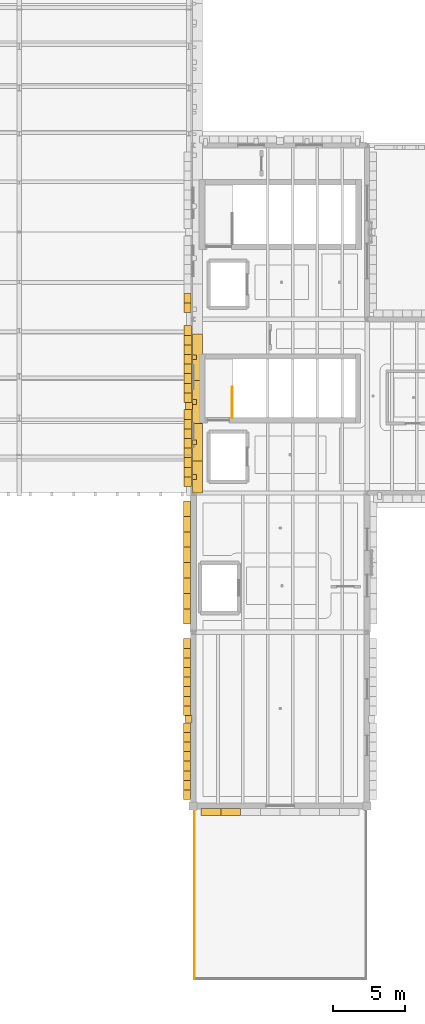
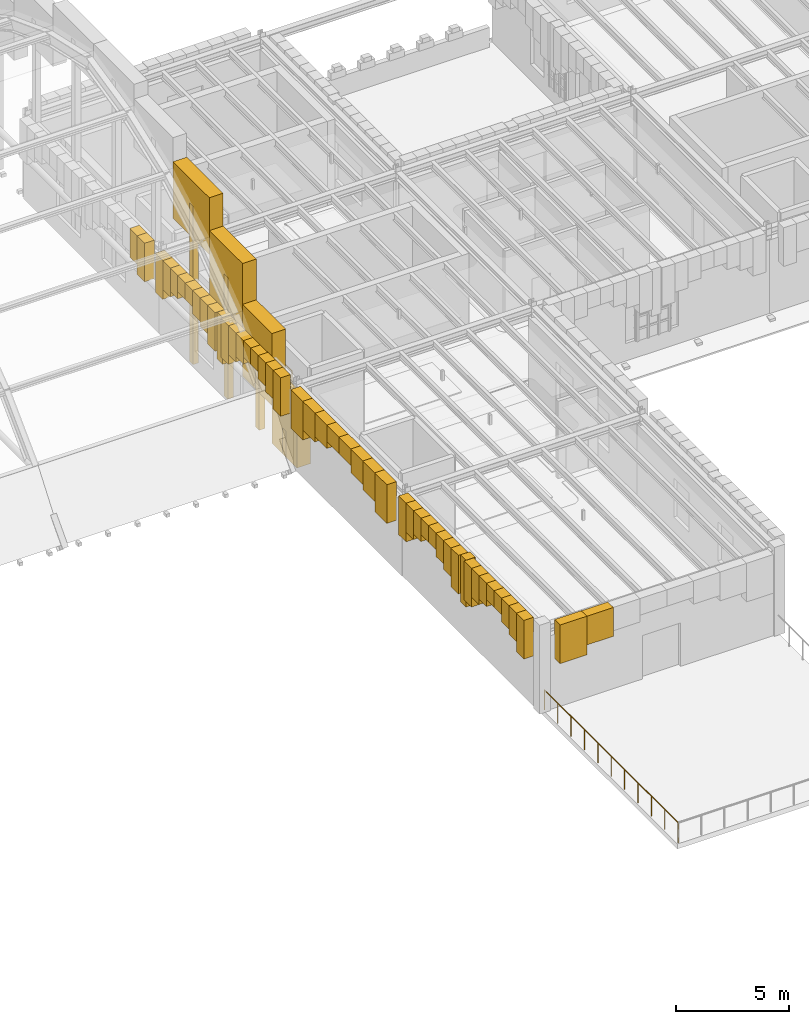
# One storey, part 27 of 35: 54 coverings, 2 railings.
"""IFC4 building model written with IfcOpenShell, lengths in metres."""

from ifc_helpers import new_model, si_unit, direction, frame, origin, origin_2d, place, context, subcontext, project, spatial, polyline, circle, outline, extrude, material, layer, layer_set, type_object, element, save


model = new_model("IFC4")

# Units and contexts
model_context = context("Model", 3, precision=1e-05, world=origin(), true_north=direction((0.0, 1.0)))
body_context = subcontext(model_context, "Body", "Model", "MODEL_VIEW")
ifc_project = project(units=[si_unit("LENGTHUNIT", "METRE"), si_unit("AREAUNIT", "SQUARE_METRE"), si_unit("VOLUMEUNIT", "CUBIC_METRE"), si_unit("PLANEANGLEUNIT", "RADIAN"), si_unit("MASSUNIT", "GRAM", prefix="KILO")], contexts=[model_context])

# Site, building, storey
site_placement = place(None, origin())
site = spatial("IfcSite", under=ifc_project, at=site_placement, CompositionType="ELEMENT")
building_placement = place(site_placement, origin())
building = spatial("IfcBuilding", under=site, at=building_placement, Name="Zlatogorsky Bluff Art Gallery", CompositionType="ELEMENT")
storey_placement = place(building_placement, frame((0.0, 0.0, 23.39990234375)))
storey = spatial("IfcBuildingStorey", under=building, at=storey_placement, Name="L04", CompositionType="ELEMENT", Elevation=23.39990234375)

# Coverings
ifc_material_1 = material(Name="Honed Red Agra-Tone Quartzitic Sandstone", Category="masonry")
ifc_layer_1 = layer(ifc_material_1, 0.1201171875)
ifc_layer_set_1 = layer_set([ifc_layer_1], Name="Carved Sandstone Cladding CLD-02")
covering_type_1 = type_object("IfcCoveringType", Name="Carved Sandstone Cladding CLD-02", PredefinedType="CLADDING", material=ifc_layer_set_1)
covering_1_placement = place(storey_placement, frame((0.0, 0.0, 2.672607421875)))
element("IfcCovering", 1, at=covering_1_placement, inside=storey, type_object=covering_type_1, Name="Pointed Mughal arch voussoir spandrel WARCH-L04-S-10-06-A.1", PredefinedType="CLADDING", context=body_context, shape_type="SweptSolid", body=[
    extrude(outline(polyline([(120.550048828125, 61.739990234375), (121.91259765625, 61.739990234375), (121.91259765625, 62.22998046875), (120.550048828125, 62.22998046875), (120.550048828125, 61.739990234375)])), origin(), (0.0, 0.0, 1.0), 2.08740234375),
])
covering_2_placement = place(storey_placement, frame((0.0, 0.0, 3.203857421875)))
element("IfcCovering", 2, at=covering_2_placement, inside=storey, type_object=covering_type_1, Name="Pointed Mughal arch voussoir spandrel WARCH-L04-S-10-06-A.2", PredefinedType="CLADDING", context=body_context, shape_type="SweptSolid", body=[
    extrude(outline(polyline([(121.91259765625, 61.739990234375), (123.27490234375, 61.739990234375), (123.27490234375, 62.22998046875), (121.91259765625, 62.22998046875), (121.91259765625, 61.739990234375)])), origin(), (0.0, 0.0, 1.0), 1.55615234375),
])
covering_3_placement = place(storey_placement, frame((0.0, 0.0, 2.22998046875)))
element("IfcCovering", 3, at=covering_3_placement, inside=storey, type_object=covering_type_1, Name="Mughal blind-arch sandstone pilaster L04.W.10.6", PredefinedType="CLADDING", context=body_context, shape_type="SweptSolid", body=[
    extrude(outline(polyline([(119.43994140625, 68.159912109375), (119.919921875, 68.159912109375), (119.919921875, 68.639892578125), (119.43994140625, 68.639892578125), (119.43994140625, 68.159912109375)])), origin(), (0.0, 0.0, 1.0), 2.530029296875),
])
covering_4_placement = place(storey_placement, frame((0.0, 0.0, 2.672607421875)))
element("IfcCovering", 4, at=covering_4_placement, inside=storey, type_object=covering_type_1, Name="Pointed Mughal arch voussoir spandrel WARCH-L04-W-10-06-A.1", PredefinedType="CLADDING", context=body_context, shape_type="SweptSolid", body=[
    extrude(outline(polyline([(119.340087890625, 62.85009765625), (119.340087890625, 63.512451171875), (119.830078125, 63.512451171875), (119.830078125, 62.85009765625), (119.340087890625, 62.85009765625)])), origin(), (0.0, 0.0, 1.0), 2.08740234375),
])
covering_5_placement = place(storey_placement, frame((0.0, 0.0, 3.203857421875)))
element("IfcCovering", 5, at=covering_5_placement, inside=storey, type_object=covering_type_1, Name="Pointed Mughal arch voussoir spandrel WARCH-L04-W-10-06-A.2", PredefinedType="CLADDING", context=body_context, shape_type="SweptSolid", body=[
    extrude(outline(polyline([(119.340087890625, 63.512451171875), (119.340087890625, 64.175048828125), (119.830078125, 64.175048828125), (119.830078125, 63.512451171875), (119.340087890625, 63.512451171875)])), origin(), (0.0, 0.0, 1.0), 1.55615234375),
])
covering_6_placement = place(storey_placement, frame((0.0, 0.0, 3.496826171875)))
element("IfcCovering", 6, at=covering_6_placement, inside=storey, type_object=covering_type_1, Name="Pointed Mughal arch voussoir spandrel WARCH-L04-W-10-06-A.3", PredefinedType="CLADDING", context=body_context, shape_type="SweptSolid", body=[
    extrude(outline(polyline([(119.340087890625, 64.175048828125), (119.340087890625, 64.83740234375), (119.830078125, 64.83740234375), (119.830078125, 64.175048828125), (119.340087890625, 64.175048828125)])), origin(), (0.0, 0.0, 1.0), 1.26318359375),
])
covering_7_placement = place(storey_placement, frame((0.0, 0.0, 3.865478515625)))
element("IfcCovering", 7, at=covering_7_placement, inside=storey, type_object=covering_type_1, Name="Pointed Mughal arch voussoir spandrel WARCH-L04-W-10-06-A.4", PredefinedType="CLADDING", context=body_context, shape_type="SweptSolid", body=[
    extrude(outline(polyline([(119.340087890625, 64.83740234375), (119.340087890625, 65.5), (119.830078125, 65.5), (119.830078125, 64.83740234375), (119.340087890625, 64.83740234375)])), origin(), (0.0, 0.0, 1.0), 0.89453125),
])
covering_8_placement = place(storey_placement, frame((0.0, 0.0, 3.865478515625)))
element("IfcCovering", 8, at=covering_8_placement, inside=storey, type_object=covering_type_1, Name="Pointed Mughal arch voussoir spandrel WARCH-L04-W-10-06-A.5", PredefinedType="CLADDING", context=body_context, shape_type="SweptSolid", body=[
    extrude(outline(polyline([(119.340087890625, 65.5), (119.340087890625, 66.16259765625), (119.830078125, 66.16259765625), (119.830078125, 65.5), (119.340087890625, 65.5)])), origin(), (0.0, 0.0, 1.0), 0.89453125),
])
covering_9_placement = place(storey_placement, frame((0.0, 0.0, 3.496826171875)))
element("IfcCovering", 9, at=covering_9_placement, inside=storey, type_object=covering_type_1, Name="Pointed Mughal arch voussoir spandrel WARCH-L04-W-10-06-A.6", PredefinedType="CLADDING", context=body_context, shape_type="SweptSolid", body=[
    extrude(outline(polyline([(119.340087890625, 66.16259765625), (119.340087890625, 66.824951171875), (119.830078125, 66.824951171875), (119.830078125, 66.16259765625), (119.340087890625, 66.16259765625)])), origin(), (0.0, 0.0, 1.0), 1.26318359375),
])
covering_10_placement = place(storey_placement, frame((0.0, 0.0, 3.203857421875)))
element("IfcCovering", 10, at=covering_10_placement, inside=storey, type_object=covering_type_1, Name="Pointed Mughal arch voussoir spandrel WARCH-L04-W-10-06-A.7", PredefinedType="CLADDING", context=body_context, shape_type="SweptSolid", body=[
    extrude(outline(polyline([(119.340087890625, 66.824951171875), (119.340087890625, 67.487548828125), (119.830078125, 67.487548828125), (119.830078125, 66.824951171875), (119.340087890625, 66.824951171875)])), origin(), (0.0, 0.0, 1.0), 1.55615234375),
])
covering_11_placement = place(storey_placement, frame((0.0, 0.0, 2.672607421875)))
element("IfcCovering", 11, at=covering_11_placement, inside=storey, type_object=covering_type_1, Name="Pointed Mughal arch voussoir spandrel WARCH-L04-W-10-06-A.8", PredefinedType="CLADDING", context=body_context, shape_type="SweptSolid", body=[
    extrude(outline(polyline([(119.340087890625, 67.487548828125), (119.340087890625, 68.14990234375), (119.830078125, 68.14990234375), (119.830078125, 67.487548828125), (119.340087890625, 67.487548828125)])), origin(), (0.0, 0.0, 1.0), 2.08740234375),
])
covering_12_placement = place(storey_placement, frame((0.0, 0.0, 2.672607421875)))
element("IfcCovering", 12, at=covering_12_placement, inside=storey, type_object=covering_type_1, Name="Pointed Mughal arch voussoir spandrel WARCH-L04-W-10-06-B.1", PredefinedType="CLADDING", context=body_context, shape_type="SweptSolid", body=[
    extrude(outline(polyline([(119.340087890625, 68.64990234375), (119.340087890625, 69.3125), (119.830078125, 69.3125), (119.830078125, 68.64990234375), (119.340087890625, 68.64990234375)])), origin(), (0.0, 0.0, 1.0), 2.08740234375),
])
covering_13_placement = place(storey_placement, frame((0.0, 0.0, 3.203857421875)))
element("IfcCovering", 13, at=covering_13_placement, inside=storey, type_object=covering_type_1, Name="Pointed Mughal arch voussoir spandrel WARCH-L04-W-10-06-B.2", PredefinedType="CLADDING", context=body_context, shape_type="SweptSolid", body=[
    extrude(outline(polyline([(119.340087890625, 69.3125), (119.340087890625, 69.97509765625), (119.830078125, 69.97509765625), (119.830078125, 69.3125), (119.340087890625, 69.3125)])), origin(), (0.0, 0.0, 1.0), 1.55615234375),
])
covering_14_placement = place(storey_placement, frame((0.0, 0.0, 3.496826171875)))
element("IfcCovering", 14, at=covering_14_placement, inside=storey, type_object=covering_type_1, Name="Pointed Mughal arch voussoir spandrel WARCH-L04-W-10-06-B.3", PredefinedType="CLADDING", context=body_context, shape_type="SweptSolid", body=[
    extrude(outline(polyline([(119.340087890625, 69.97509765625), (119.340087890625, 70.637451171875), (119.830078125, 70.637451171875), (119.830078125, 69.97509765625), (119.340087890625, 69.97509765625)])), origin(), (0.0, 0.0, 1.0), 1.26318359375),
])
covering_15_placement = place(storey_placement, frame((0.0, 0.0, 3.865478515625)))
element("IfcCovering", 15, at=covering_15_placement, inside=storey, type_object=covering_type_1, Name="Pointed Mughal arch voussoir spandrel WARCH-L04-W-10-06-B.4", PredefinedType="CLADDING", context=body_context, shape_type="SweptSolid", body=[
    extrude(outline(polyline([(119.340087890625, 70.637451171875), (119.340087890625, 71.300048828125), (119.830078125, 71.300048828125), (119.830078125, 70.637451171875), (119.340087890625, 70.637451171875)])), origin(), (0.0, 0.0, 1.0), 0.89453125),
])
covering_16_placement = place(storey_placement, frame((0.0, 0.0, 3.865478515625)))
element("IfcCovering", 16, at=covering_16_placement, inside=storey, type_object=covering_type_1, Name="Pointed Mughal arch voussoir spandrel WARCH-L04-W-10-06-B.5", PredefinedType="CLADDING", context=body_context, shape_type="SweptSolid", body=[
    extrude(outline(polyline([(119.340087890625, 71.300048828125), (119.340087890625, 71.96240234375), (119.830078125, 71.96240234375), (119.830078125, 71.300048828125), (119.340087890625, 71.300048828125)])), origin(), (0.0, 0.0, 1.0), 0.89453125),
])
covering_17_placement = place(storey_placement, frame((0.0, 0.0, 3.496826171875)))
element("IfcCovering", 17, at=covering_17_placement, inside=storey, type_object=covering_type_1, Name="Pointed Mughal arch voussoir spandrel WARCH-L04-W-10-06-B.6", PredefinedType="CLADDING", context=body_context, shape_type="SweptSolid", body=[
    extrude(outline(polyline([(119.340087890625, 71.96240234375), (119.340087890625, 72.625), (119.830078125, 72.625), (119.830078125, 71.96240234375), (119.340087890625, 71.96240234375)])), origin(), (0.0, 0.0, 1.0), 1.26318359375),
])
covering_18_placement = place(storey_placement, frame((0.0, 0.0, 3.203857421875)))
element("IfcCovering", 18, at=covering_18_placement, inside=storey, type_object=covering_type_1, Name="Pointed Mughal arch voussoir spandrel WARCH-L04-W-10-06-B.7", PredefinedType="CLADDING", context=body_context, shape_type="SweptSolid", body=[
    extrude(outline(polyline([(119.340087890625, 72.625), (119.340087890625, 73.28759765625), (119.830078125, 73.28759765625), (119.830078125, 72.625), (119.340087890625, 72.625)])), origin(), (0.0, 0.0, 1.0), 1.55615234375),
])
covering_19_placement = place(storey_placement, frame((0.0, 0.0, 2.672607421875)))
element("IfcCovering", 19, at=covering_19_placement, inside=storey, type_object=covering_type_1, Name="Pointed Mughal arch voussoir spandrel WARCH-L04-W-10-06-B.8", PredefinedType="CLADDING", context=body_context, shape_type="SweptSolid", body=[
    extrude(outline(polyline([(119.340087890625, 73.28759765625), (119.340087890625, 73.949951171875), (119.830078125, 73.949951171875), (119.830078125, 73.28759765625), (119.340087890625, 73.28759765625)])), origin(), (0.0, 0.0, 1.0), 2.08740234375),
])
covering_20_placement = place(storey_placement, frame((0.0, 0.0, 2.672607421875)))
element("IfcCovering", 20, at=covering_20_placement, inside=storey, type_object=covering_type_1, Name="Pointed Mughal arch voussoir spandrel WARCH-L04-W-10-07-A.1", PredefinedType="CLADDING", context=body_context, shape_type="SweptSolid", body=[
    extrude(outline(polyline([(119.320068359375, 74.949951171875), (119.320068359375, 76.012451171875), (119.81005859375, 76.012451171875), (119.81005859375, 74.949951171875), (119.320068359375, 74.949951171875)])), origin(), (0.0, 0.0, 1.0), 2.08740234375),
])
covering_21_placement = place(storey_placement, frame((0.0, 0.0, 3.203857421875)))
element("IfcCovering", 21, at=covering_21_placement, inside=storey, type_object=covering_type_1, Name="Pointed Mughal arch voussoir spandrel WARCH-L04-W-10-07-A.2", PredefinedType="CLADDING", context=body_context, shape_type="SweptSolid", body=[
    extrude(outline(polyline([(119.320068359375, 76.012451171875), (119.320068359375, 77.074951171875), (119.81005859375, 77.074951171875), (119.81005859375, 76.012451171875), (119.320068359375, 76.012451171875)])), origin(), (0.0, 0.0, 1.0), 1.55615234375),
])
covering_22_placement = place(storey_placement, frame((0.0, 0.0, 3.496826171875)))
element("IfcCovering", 22, at=covering_22_placement, inside=storey, type_object=covering_type_1, Name="Pointed Mughal arch voussoir spandrel WARCH-L04-W-10-07-A.3", PredefinedType="CLADDING", context=body_context, shape_type="SweptSolid", body=[
    extrude(outline(polyline([(119.320068359375, 77.074951171875), (119.320068359375, 78.137451171875), (119.81005859375, 78.137451171875), (119.81005859375, 77.074951171875), (119.320068359375, 77.074951171875)])), origin(), (0.0, 0.0, 1.0), 1.26318359375),
])
covering_23_placement = place(storey_placement, frame((0.0, 0.0, 3.865478515625)))
element("IfcCovering", 23, at=covering_23_placement, inside=storey, type_object=covering_type_1, Name="Pointed Mughal arch voussoir spandrel WARCH-L04-W-10-07-A.4", PredefinedType="CLADDING", context=body_context, shape_type="SweptSolid", body=[
    extrude(outline(polyline([(119.320068359375, 78.137451171875), (119.320068359375, 79.199951171875), (119.81005859375, 79.199951171875), (119.81005859375, 78.137451171875), (119.320068359375, 78.137451171875)])), origin(), (0.0, 0.0, 1.0), 0.89453125),
])
covering_24_placement = place(storey_placement, frame((0.0, 0.0, 3.865478515625)))
element("IfcCovering", 24, at=covering_24_placement, inside=storey, type_object=covering_type_1, Name="Pointed Mughal arch voussoir spandrel WARCH-L04-W-10-07-A.5", PredefinedType="CLADDING", context=body_context, shape_type="SweptSolid", body=[
    extrude(outline(polyline([(119.320068359375, 79.199951171875), (119.320068359375, 80.262451171875), (119.81005859375, 80.262451171875), (119.81005859375, 79.199951171875), (119.320068359375, 79.199951171875)])), origin(), (0.0, 0.0, 1.0), 0.89453125),
])
covering_25_placement = place(storey_placement, frame((0.0, 0.0, 3.496826171875)))
element("IfcCovering", 25, at=covering_25_placement, inside=storey, type_object=covering_type_1, Name="Pointed Mughal arch voussoir spandrel WARCH-L04-W-10-07-A.6", PredefinedType="CLADDING", context=body_context, shape_type="SweptSolid", body=[
    extrude(outline(polyline([(119.320068359375, 80.262451171875), (119.320068359375, 81.324951171875), (119.81005859375, 81.324951171875), (119.81005859375, 80.262451171875), (119.320068359375, 80.262451171875)])), origin(), (0.0, 0.0, 1.0), 1.26318359375),
])
covering_26_placement = place(storey_placement, frame((0.0, 0.0, 3.203857421875)))
element("IfcCovering", 26, at=covering_26_placement, inside=storey, type_object=covering_type_1, Name="Pointed Mughal arch voussoir spandrel WARCH-L04-W-10-07-A.7", PredefinedType="CLADDING", context=body_context, shape_type="SweptSolid", body=[
    extrude(outline(polyline([(119.320068359375, 81.324951171875), (119.320068359375, 82.387451171875), (119.81005859375, 82.387451171875), (119.81005859375, 81.324951171875), (119.320068359375, 81.324951171875)])), origin(), (0.0, 0.0, 1.0), 1.55615234375),
])
covering_27_placement = place(storey_placement, frame((0.0, 0.0, 2.672607421875)))
element("IfcCovering", 27, at=covering_27_placement, inside=storey, type_object=covering_type_1, Name="Pointed Mughal arch voussoir spandrel WARCH-L04-W-10-07-A.8", PredefinedType="CLADDING", context=body_context, shape_type="SweptSolid", body=[
    extrude(outline(polyline([(119.320068359375, 82.387451171875), (119.320068359375, 83.449951171875), (119.81005859375, 83.449951171875), (119.81005859375, 82.387451171875), (119.320068359375, 82.387451171875)])), origin(), (0.0, 0.0, 1.0), 2.08740234375),
])
covering_28_placement = place(storey_placement, frame((0.0, 0.0, 2.22998046875)))
element("IfcCovering", 28, at=covering_28_placement, inside=storey, type_object=covering_type_1, Name="Mughal blind-arch sandstone pilaster L04.W.10.8", PredefinedType="CLADDING", context=body_context, shape_type="SweptSolid", body=[
    extrude(outline(polyline([(119.47998046875, 89.760009765625), (119.9599609375, 89.760009765625), (119.9599609375, 90.239990234375), (119.47998046875, 90.239990234375), (119.47998046875, 89.760009765625)])), origin(), (0.0, 0.0, 1.0), 2.530029296875),
])
covering_29_placement = place(storey_placement, frame((0.0, 0.0, 2.672607421875)))
element("IfcCovering", 29, at=covering_29_placement, inside=storey, type_object=covering_type_1, Name="Pointed Mughal arch voussoir spandrel WARCH-L04-W-10-08-A.1", PredefinedType="CLADDING", context=body_context, shape_type="SweptSolid", body=[
    extrude(outline(polyline([(119.3798828125, 84.449951171875), (119.3798828125, 85.112548828125), (119.8701171875, 85.112548828125), (119.8701171875, 84.449951171875), (119.3798828125, 84.449951171875)])), origin(), (0.0, 0.0, 1.0), 2.08740234375),
])
covering_30_placement = place(storey_placement, frame((0.0, 0.0, 3.203857421875)))
element("IfcCovering", 30, at=covering_30_placement, inside=storey, type_object=covering_type_1, Name="Pointed Mughal arch voussoir spandrel WARCH-L04-W-10-08-A.2", PredefinedType="CLADDING", context=body_context, shape_type="SweptSolid", body=[
    extrude(outline(polyline([(119.3798828125, 85.112548828125), (119.3798828125, 85.77490234375), (119.8701171875, 85.77490234375), (119.8701171875, 85.112548828125), (119.3798828125, 85.112548828125)])), origin(), (0.0, 0.0, 1.0), 1.55615234375),
])
covering_31_placement = place(storey_placement, frame((0.0, 0.0, 3.496826171875)))
element("IfcCovering", 31, at=covering_31_placement, inside=storey, type_object=covering_type_1, Name="Pointed Mughal arch voussoir spandrel WARCH-L04-W-10-08-A.3", PredefinedType="CLADDING", context=body_context, shape_type="SweptSolid", body=[
    extrude(outline(polyline([(119.3798828125, 85.77490234375), (119.3798828125, 86.4375), (119.8701171875, 86.4375), (119.8701171875, 85.77490234375), (119.3798828125, 85.77490234375)])), origin(), (0.0, 0.0, 1.0), 1.26318359375),
])
covering_32_placement = place(storey_placement, frame((0.0, 0.0, 3.865478515625)))
element("IfcCovering", 32, at=covering_32_placement, inside=storey, type_object=covering_type_1, Name="Pointed Mughal arch voussoir spandrel WARCH-L04-W-10-08-A.4", PredefinedType="CLADDING", context=body_context, shape_type="SweptSolid", body=[
    extrude(outline(polyline([(119.3798828125, 86.4375), (119.3798828125, 87.10009765625), (119.8701171875, 87.10009765625), (119.8701171875, 86.4375), (119.3798828125, 86.4375)])), origin(), (0.0, 0.0, 1.0), 0.89453125),
])
covering_33_placement = place(storey_placement, frame((0.0, 0.0, 3.865478515625)))
element("IfcCovering", 33, at=covering_33_placement, inside=storey, type_object=covering_type_1, Name="Pointed Mughal arch voussoir spandrel WARCH-L04-W-10-08-A.5", PredefinedType="CLADDING", context=body_context, shape_type="SweptSolid", body=[
    extrude(outline(polyline([(119.3798828125, 87.10009765625), (119.3798828125, 87.762451171875), (119.8701171875, 87.762451171875), (119.8701171875, 87.10009765625), (119.3798828125, 87.10009765625)])), origin(), (0.0, 0.0, 1.0), 0.89453125),
])
covering_34_placement = place(storey_placement, frame((0.0, 0.0, 3.496826171875)))
element("IfcCovering", 34, at=covering_34_placement, inside=storey, type_object=covering_type_1, Name="Pointed Mughal arch voussoir spandrel WARCH-L04-W-10-08-A.6", PredefinedType="CLADDING", context=body_context, shape_type="SweptSolid", body=[
    extrude(outline(polyline([(119.3798828125, 87.762451171875), (119.3798828125, 88.425048828125), (119.8701171875, 88.425048828125), (119.8701171875, 87.762451171875), (119.3798828125, 87.762451171875)])), origin(), (0.0, 0.0, 1.0), 1.26318359375),
])
covering_35_placement = place(storey_placement, frame((0.0, 0.0, 3.203857421875)))
element("IfcCovering", 35, at=covering_35_placement, inside=storey, type_object=covering_type_1, Name="Pointed Mughal arch voussoir spandrel WARCH-L04-W-10-08-A.7", PredefinedType="CLADDING", context=body_context, shape_type="SweptSolid", body=[
    extrude(outline(polyline([(119.3798828125, 88.425048828125), (119.3798828125, 89.08740234375), (119.8701171875, 89.08740234375), (119.8701171875, 88.425048828125), (119.3798828125, 88.425048828125)])), origin(), (0.0, 0.0, 1.0), 1.55615234375),
])
covering_36_placement = place(storey_placement, frame((0.0, 0.0, 2.672607421875)))
element("IfcCovering", 36, at=covering_36_placement, inside=storey, type_object=covering_type_1, Name="Pointed Mughal arch voussoir spandrel WARCH-L04-W-10-08-A.8", PredefinedType="CLADDING", context=body_context, shape_type="SweptSolid", body=[
    extrude(outline(polyline([(119.3798828125, 89.08740234375), (119.3798828125, 89.75), (119.8701171875, 89.75), (119.8701171875, 89.08740234375), (119.3798828125, 89.08740234375)])), origin(), (0.0, 0.0, 1.0), 2.08740234375),
])
covering_37_placement = place(storey_placement, frame((0.0, 0.0, 2.672607421875)))
element("IfcCovering", 37, at=covering_37_placement, inside=storey, type_object=covering_type_1, Name="Pointed Mughal arch voussoir spandrel WARCH-L04-W-10-08-B.1", PredefinedType="CLADDING", context=body_context, shape_type="SweptSolid", body=[
    extrude(outline(polyline([(119.3798828125, 90.25), (119.3798828125, 90.91259765625), (119.8701171875, 90.91259765625), (119.8701171875, 90.25), (119.3798828125, 90.25)])), origin(), (0.0, 0.0, 1.0), 2.08740234375),
])
covering_38_placement = place(storey_placement, frame((0.0, 0.0, 3.203857421875)))
element("IfcCovering", 38, at=covering_38_placement, inside=storey, type_object=covering_type_1, Name="Pointed Mughal arch voussoir spandrel WARCH-L04-W-10-08-B.2", PredefinedType="CLADDING", context=body_context, shape_type="SweptSolid", body=[
    extrude(outline(polyline([(119.3798828125, 90.91259765625), (119.3798828125, 91.574951171875), (119.8701171875, 91.574951171875), (119.8701171875, 90.91259765625), (119.3798828125, 90.91259765625)])), origin(), (0.0, 0.0, 1.0), 1.55615234375),
])
covering_39_placement = place(storey_placement, frame((0.0, 0.0, 3.496826171875)))
element("IfcCovering", 39, at=covering_39_placement, inside=storey, type_object=covering_type_1, Name="Pointed Mughal arch voussoir spandrel WARCH-L04-W-10-08-B.3", PredefinedType="CLADDING", context=body_context, shape_type="SweptSolid", body=[
    extrude(outline(polyline([(119.3798828125, 91.574951171875), (119.3798828125, 92.237548828125), (119.8701171875, 92.237548828125), (119.8701171875, 91.574951171875), (119.3798828125, 91.574951171875)])), origin(), (0.0, 0.0, 1.0), 1.26318359375),
])
covering_40_placement = place(storey_placement, frame((0.0, 0.0, 3.865478515625)))
element("IfcCovering", 40, at=covering_40_placement, inside=storey, type_object=covering_type_1, Name="Pointed Mughal arch voussoir spandrel WARCH-L04-W-10-08-B.4", PredefinedType="CLADDING", context=body_context, shape_type="SweptSolid", body=[
    extrude(outline(polyline([(119.3798828125, 92.237548828125), (119.3798828125, 92.89990234375), (119.8701171875, 92.89990234375), (119.8701171875, 92.237548828125), (119.3798828125, 92.237548828125)])), origin(), (0.0, 0.0, 1.0), 0.89453125),
])
covering_41_placement = place(storey_placement, frame((0.0, 0.0, 3.865478515625)))
element("IfcCovering", 41, at=covering_41_placement, inside=storey, type_object=covering_type_1, Name="Pointed Mughal arch voussoir spandrel WARCH-L04-W-10-08-B.5", PredefinedType="CLADDING", context=body_context, shape_type="SweptSolid", body=[
    extrude(outline(polyline([(119.3798828125, 92.89990234375), (119.3798828125, 93.5625), (119.8701171875, 93.5625), (119.8701171875, 92.89990234375), (119.3798828125, 92.89990234375)])), origin(), (0.0, 0.0, 1.0), 0.89453125),
])
covering_42_placement = place(storey_placement, frame((0.0, 0.0, 3.496826171875)))
element("IfcCovering", 42, at=covering_42_placement, inside=storey, type_object=covering_type_1, Name="Pointed Mughal arch voussoir spandrel WARCH-L04-W-10-08-B.6", PredefinedType="CLADDING", context=body_context, shape_type="SweptSolid", body=[
    extrude(outline(polyline([(119.3798828125, 93.5625), (119.3798828125, 94.22509765625), (119.8701171875, 94.22509765625), (119.8701171875, 93.5625), (119.3798828125, 93.5625)])), origin(), (0.0, 0.0, 1.0), 1.26318359375),
])
covering_43_placement = place(storey_placement, frame((0.0, 0.0, 3.203857421875)))
element("IfcCovering", 43, at=covering_43_placement, inside=storey, type_object=covering_type_1, Name="Pointed Mughal arch voussoir spandrel WARCH-L04-W-10-08-B.7", PredefinedType="CLADDING", context=body_context, shape_type="SweptSolid", body=[
    extrude(outline(polyline([(119.3798828125, 94.22509765625), (119.3798828125, 94.887451171875), (119.8701171875, 94.887451171875), (119.8701171875, 94.22509765625), (119.3798828125, 94.22509765625)])), origin(), (0.0, 0.0, 1.0), 1.55615234375),
])
covering_44_placement = place(storey_placement, frame((0.0, 0.0, 2.672607421875)))
element("IfcCovering", 44, at=covering_44_placement, inside=storey, type_object=covering_type_1, Name="Pointed Mughal arch voussoir spandrel WARCH-L04-W-10-08-B.8", PredefinedType="CLADDING", context=body_context, shape_type="SweptSolid", body=[
    extrude(outline(polyline([(119.3798828125, 94.887451171875), (119.3798828125, 95.550048828125), (119.8701171875, 95.550048828125), (119.8701171875, 94.887451171875), (119.3798828125, 94.887451171875)])), origin(), (0.0, 0.0, 1.0), 2.08740234375),
])
covering_45_placement = place(storey_placement, frame((0.0, 0.0, 2.672607421875)))
element("IfcCovering", 45, at=covering_45_placement, inside=storey, type_object=covering_type_1, Name="Pointed Mughal arch voussoir spandrel WARCH-L04-W-10-09-A.1", PredefinedType="CLADDING", context=body_context, shape_type="SweptSolid", body=[
    extrude(outline(polyline([(119.360107421875, 96.449951171875), (119.360107421875, 97.112548828125), (119.85009765625, 97.112548828125), (119.85009765625, 96.449951171875), (119.360107421875, 96.449951171875)])), origin(), (0.0, 0.0, 1.0), 2.08740234375),
])
covering_46_placement = place(storey_placement, frame((0.0, 0.0, 3.203857421875)))
element("IfcCovering", 46, at=covering_46_placement, inside=storey, type_object=covering_type_1, Name="Pointed Mughal arch voussoir spandrel WARCH-L04-W-10-09-A.2", PredefinedType="CLADDING", context=body_context, shape_type="SweptSolid", body=[
    extrude(outline(polyline([(119.360107421875, 97.112548828125), (119.360107421875, 97.77490234375), (119.85009765625, 97.77490234375), (119.85009765625, 97.112548828125), (119.360107421875, 97.112548828125)])), origin(), (0.0, 0.0, 1.0), 1.55615234375),
])
covering_47_placement = place(storey_placement, frame((0.0, 0.0, -0.0498046875)))
element("IfcCovering", 47, at=covering_47_placement, inside=storey, type_object=covering_type_1, Name="Barrel vault Mughal pointed gable archivolt EAST.1", PredefinedType="CLADDING", context=body_context, shape_type="SweptSolid", body=[
    extrude(outline(polyline([(119.949951171875, 84.0), (120.64990234375, 84.0), (120.64990234375, 86.20849609375), (119.949951171875, 86.20849609375), (119.949951171875, 84.0)])), origin(), (0.0, 0.0, 1.0), 3.337646484375),
])
covering_48_placement = place(storey_placement, frame((0.0, 0.0, 1.98779296875)))
element("IfcCovering", 48, at=covering_48_placement, inside=storey, type_object=covering_type_1, Name="Barrel vault Mughal pointed gable archivolt EAST.2", PredefinedType="CLADDING", context=body_context, shape_type="SweptSolid", body=[
    extrude(outline(polyline([(119.949951171875, 86.20849609375), (120.64990234375, 86.20849609375), (120.64990234375, 88.809326171875), (119.949951171875, 88.809326171875), (119.949951171875, 86.20849609375)])), origin(), (0.0, 0.0, 1.0), 3.897216796875),
])
covering_49_placement = place(storey_placement, frame((0.0, 0.0, 4.5849609375)))
element("IfcCovering", 49, at=covering_49_placement, inside=storey, type_object=covering_type_1, Name="Barrel vault Mughal pointed gable archivolt EAST.3", PredefinedType="CLADDING", context=body_context, shape_type="SweptSolid", body=[
    extrude(outline(polyline([(119.949951171875, 88.809326171875), (120.64990234375, 88.809326171875), (120.64990234375, 91.750244140625), (119.949951171875, 91.750244140625), (119.949951171875, 88.809326171875)])), origin(), (0.0, 0.0, 1.0), 3.50439453125),
])
covering_50_placement = place(storey_placement, frame((0.0, 0.0, 6.789306640625)))
element("IfcCovering", 50, at=covering_50_placement, inside=storey, type_object=covering_type_1, Name="Barrel vault Mughal pointed gable archivolt EAST.4", PredefinedType="CLADDING", context=body_context, shape_type="SweptSolid", body=[
    extrude(outline(polyline([(119.949951171875, 91.750244140625), (120.64990234375, 91.750244140625), (120.64990234375, 94.97265625), (119.949951171875, 94.97265625), (119.949951171875, 91.750244140625)])), origin(), (0.0, 0.0, 1.0), 3.067626953125),
])

# Railings
ifc_material_2 = material(Name="Architectural Bronze and Laminated Glass", Category="glass")
railing_type = type_object("IfcRailingType", Name="Gallery Guard Rail 1100mm", PredefinedType="GUARDRAIL", material=ifc_material_2)
railing_1_placement = place(storey_placement, frame((120.080078125, 50.47998046875, 0.0)))
element("IfcRailing", 51, at=railing_1_placement, inside=storey, type_object=railing_type, Name="Sculpture terrace balustrade TERR-L04-01.1", PredefinedType="GUARDRAIL", context=body_context, shape_type="SweptSolid", body=[
    extrude(circle(Radius=0.02392578125, at=origin_2d()), frame((0.0, 0.0, 1.076171875), z_axis=(0.0, 1.0, 0.0), x_axis=(-1.0, 0.0, 0.0)), (0.0, 0.0, 1.0), 11.840087890625),
    extrude(circle(Radius=0.02099609375, at=origin_2d()), origin(), (0.0, 0.0, 1.0), 1.052001953125),
    extrude(circle(Radius=0.02099609375, at=origin_2d()), frame((0.0, 1.18408203125, 0.0)), (0.0, 0.0, 1.0), 1.052001953125),
    extrude(circle(Radius=0.02099609375, at=origin_2d()), frame((0.0, 2.367919921875, 0.0)), (0.0, 0.0, 1.0), 1.052001953125),
    extrude(circle(Radius=0.02099609375, at=origin_2d()), frame((0.0, 3.552001953125, 0.0)), (0.0, 0.0, 1.0), 1.052001953125),
    extrude(circle(Radius=0.02099609375, at=origin_2d()), frame((0.0, 4.736083984375, 0.0)), (0.0, 0.0, 1.0), 1.052001953125),
    extrude(circle(Radius=0.02099609375, at=origin_2d()), frame((0.0, 5.919921875, 0.0)), (0.0, 0.0, 1.0), 1.052001953125),
    extrude(circle(Radius=0.02099609375, at=origin_2d()), frame((0.0, 7.10400390625, 0.0)), (0.0, 0.0, 1.0), 1.052001953125),
    extrude(circle(Radius=0.02099609375, at=origin_2d()), frame((0.0, 8.2880859375, 0.0)), (0.0, 0.0, 1.0), 1.052001953125),
    extrude(circle(Radius=0.02099609375, at=origin_2d()), frame((0.0, 9.47216796875, 0.0)), (0.0, 0.0, 1.0), 1.052001953125),
    extrude(circle(Radius=0.02099609375, at=origin_2d()), frame((0.0, 10.656005859375, 0.0)), (0.0, 0.0, 1.0), 1.052001953125),
    extrude(circle(Radius=0.02099609375, at=origin_2d()), frame((0.0, 11.840087890625, 0.0)), (0.0, 0.0, 1.0), 1.052001953125),
])
railing_2_placement = place(storey_placement, frame((122.699951171875, 89.199951171875, 0.0)))
element("IfcRailing", 52, at=railing_2_placement, inside=storey, type_object=railing_type, Name="L04 ST-02 top well guard 1", PredefinedType="GUARDRAIL", context=body_context, shape_type="SweptSolid", body=[
    extrude(circle(Radius=0.02392578125, at=origin_2d()), frame((0.0, 0.0, 1.076171875), z_axis=(0.0, 1.0, 0.0), x_axis=(-1.0, 0.0, 0.0)), (0.0, 0.0, 1.0), 2.10009765625),
    extrude(circle(Radius=0.02099609375, at=origin_2d()), origin(), (0.0, 0.0, 1.0), 1.052001953125),
    extrude(circle(Radius=0.02099609375, at=origin_2d()), frame((0.0, 1.050048828125, 0.0)), (0.0, 0.0, 1.0), 1.052001953125),
    extrude(circle(Radius=0.02099609375, at=origin_2d()), frame((0.0, 2.10009765625, 0.0)), (0.0, 0.0, 1.0), 1.052001953125),
])

# Coverings
ifc_material_3 = material(Name="Patinated Architectural Bronze Fin", Category="metal")
ifc_layer_2 = layer(ifc_material_3, 0.110107421875)
ifc_layer_set_2 = layer_set([ifc_layer_2], Name="Vertical Gallery Fin FIN-01")
covering_type_2 = type_object("IfcCoveringType", Name="Vertical Gallery Fin FIN-01", PredefinedType="CLADDING", material=ifc_layer_set_2)
covering_51_placement = place(storey_placement, frame((0.0, 0.0, -0.039794921875)))
element("IfcCovering", 53, at=covering_51_placement, inside=storey, type_object=covering_type_2, Name="Barrel vault gable tympanum bronze mullion EAST.1", PredefinedType="CLADDING", context=body_context, shape_type="SweptSolid", body=[
    extrude(outline(polyline([(119.949951171875, 84.9443359375), (120.239990234375, 84.9443359375), (120.239990234375, 85.264404296875), (119.949951171875, 85.264404296875), (119.949951171875, 84.9443359375)])), origin(), (0.0, 0.0, 1.0), 1.40869140625),
])
covering_52_placement = place(storey_placement, frame((0.0, 0.0, -0.039794921875)))
element("IfcCovering", 54, at=covering_52_placement, inside=storey, type_object=covering_type_2, Name="Barrel vault gable tympanum bronze mullion EAST.2", PredefinedType="CLADDING", context=body_context, shape_type="SweptSolid", body=[
    extrude(outline(polyline([(119.949951171875, 87.34912109375), (120.239990234375, 87.34912109375), (120.239990234375, 87.6689453125), (119.949951171875, 87.6689453125), (119.949951171875, 87.34912109375)])), origin(), (0.0, 0.0, 1.0), 4.17626953125),
])
covering_53_placement = place(storey_placement, frame((0.0, 0.0, -0.039794921875)))
element("IfcCovering", 55, at=covering_53_placement, inside=storey, type_object=covering_type_2, Name="Barrel vault gable tympanum bronze mullion EAST.3", PredefinedType="CLADDING", context=body_context, shape_type="SweptSolid", body=[
    extrude(outline(polyline([(119.949951171875, 90.119873046875), (120.239990234375, 90.119873046875), (120.239990234375, 90.439697265625), (119.949951171875, 90.439697265625), (119.949951171875, 90.119873046875)])), origin(), (0.0, 0.0, 1.0), 6.576904296875),
])
covering_54_placement = place(storey_placement, frame((0.0, 0.0, -0.039794921875)))
element("IfcCovering", 56, at=covering_54_placement, inside=storey, type_object=covering_type_2, Name="Barrel vault gable tympanum bronze mullion EAST.4", PredefinedType="CLADDING", context=body_context, shape_type="SweptSolid", body=[
    extrude(outline(polyline([(119.949951171875, 93.201416015625), (120.239990234375, 93.201416015625), (120.239990234375, 93.521484375), (119.949951171875, 93.521484375), (119.949951171875, 93.201416015625)])), origin(), (0.0, 0.0, 1.0), 8.56298828125),
])

save(model, "model.ifc")
